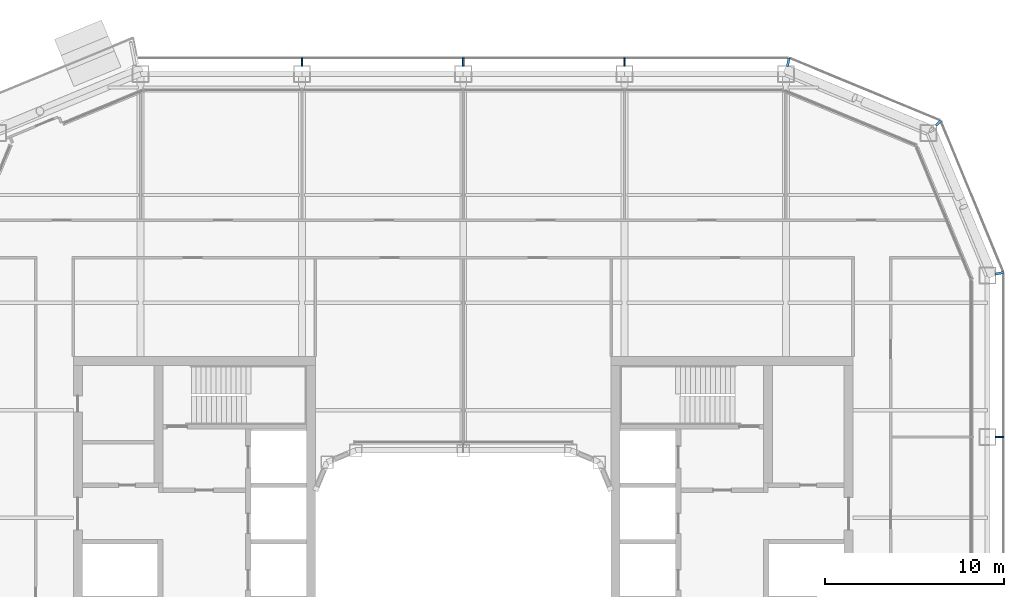
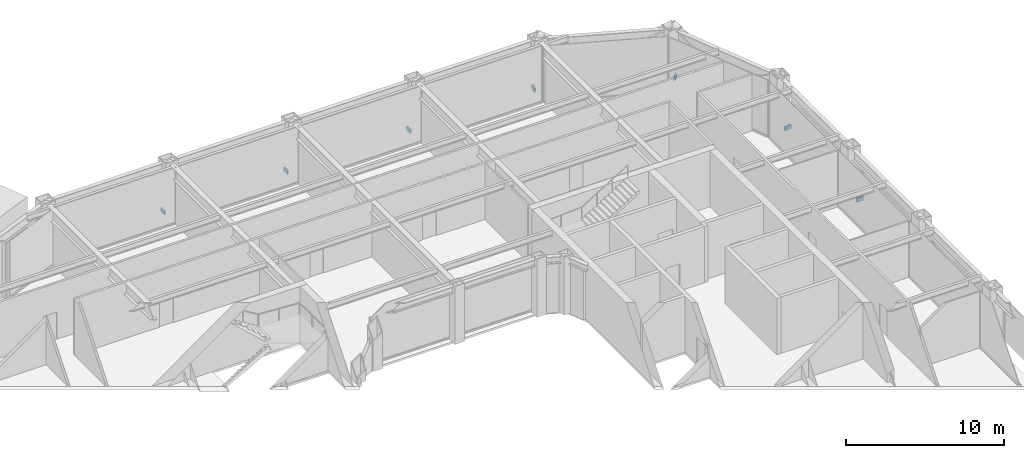
# One storey, part 17 of 23: 7 discrete accessories.
"""IFC4 building model written with IfcOpenShell, lengths in metres."""

from ifc_helpers import new_model, si_unit, direction, frame, origin, origin_2d, place, context, subcontext, project, spatial, rectangle, extrude, material, type_object, element, save


model = new_model("IFC4")

# Units and contexts
model_context = context("Model", 3, precision=1e-05, world=origin(), true_north=direction((0.0, 1.0)))
body_context = subcontext(model_context, "Body", "Model", "MODEL_VIEW")
ifc_project = project(units=[si_unit("LENGTHUNIT", "METRE"), si_unit("AREAUNIT", "SQUARE_METRE"), si_unit("VOLUMEUNIT", "CUBIC_METRE"), si_unit("PLANEANGLEUNIT", "RADIAN"), si_unit("MASSUNIT", "GRAM", prefix="KILO")], contexts=[model_context])

# Site, building, storey
site_placement = place(None, origin())
site = spatial("IfcSite", under=ifc_project, at=site_placement, CompositionType="ELEMENT")
building_placement = place(site_placement, origin())
building = spatial("IfcBuilding", under=site, at=building_placement, Name="Siwar Civic Tower", CompositionType="ELEMENT")
storey_placement = place(building_placement, frame((0.0, 0.0, 136.199951171875)))
storey = spatial("IfcBuildingStorey", under=building, at=storey_placement, Name="L29", CompositionType="ELEMENT", Elevation=136.199951171875)

# Discrete accessories
ifc_material = material(Name="Stainless steel 316", Category="steel")
discrete_accessory_type = type_object("IfcDiscreteAccessoryType", Name="ENV-BRACKET", PredefinedType="BRACKET", material=ifc_material)
for number, where, z_axis, x_axis, name in (
    (1, (29.9150390625, 9.0, -0.14990234375), (0.0, 0.0, 1.0), (1.0, 0.0, 0.0), "Bracket outer skin joint E-03"),
    (2, (9.0, 29.9150390625, -0.14990234375), (0.0, 0.0, 1.0), (0.0, 1.0, 0.0), "Bracket outer skin joint N-01"),
    (3, (0.0, 29.9150390625, -0.14990234375), (0.0, 0.0, 1.0), (0.0, 1.0, 0.0), "Bracket outer skin joint N-02"),
    (4, (-9.0, 29.9150390625, -0.14990234375), (0.0, 0.0, 1.0), (0.0, 1.0, 0.0), "Bracket outer skin joint N-03"),
):
    element("IfcDiscreteAccessory", number, at=place(storey_placement, frame(where, z_axis=z_axis, x_axis=x_axis)), inside=storey, type_object=discrete_accessory_type, Name=name, PredefinedType="BRACKET", context=body_context, shape_type="SweptSolid", body=[
        extrude(rectangle(XDim=0.469970703125, YDim=0.10009765625, at=origin_2d()), origin(), (0.0, 0.0, 1.0), 0.300048828125),
    ])
discrete_accessory_1_placement = place(storey_placement, frame((29.915283203125, 18.13232421875, -0.14990234375), z_axis=(0.0, 0.0, 1.0), x_axis=(0.980785280403, 0.195090322016, 0.0)))
element("IfcDiscreteAccessory", 5, at=discrete_accessory_1_placement, inside=storey, type_object=discrete_accessory_type, Name="Bracket outer skin joint V04", PredefinedType="BRACKET", context=body_context, shape_type="SweptSolid", body=[
    extrude(rectangle(XDim=0.478759765625, YDim=0.13720703125, at=origin_2d()), origin(), (0.0, 0.0, 1.0), 0.300048828125),
])
discrete_accessory_2_placement = place(storey_placement, frame((26.517333984375, 26.517333984375, -0.14990234375), z_axis=(0.0, 0.0, 1.0), x_axis=(0.707106781187, 0.707106781187, 0.0)))
element("IfcDiscreteAccessory", 6, at=discrete_accessory_2_placement, inside=storey, type_object=discrete_accessory_type, Name="Bracket outer skin joint V05", PredefinedType="BRACKET", context=body_context, shape_type="SweptSolid", body=[
    extrude(rectangle(XDim=0.357666015625, YDim=0.12939453125, at=origin_2d()), origin(), (0.0, 0.0, 1.0), 0.300048828125),
])
discrete_accessory_3_placement = place(storey_placement, frame((18.13232421875, 29.915283203125, -0.14990234375), z_axis=(0.0, 0.0, 1.0), x_axis=(0.195090322016, 0.980785280403, 0.0)))
element("IfcDiscreteAccessory", 7, at=discrete_accessory_3_placement, inside=storey, type_object=discrete_accessory_type, Name="Bracket outer skin joint V06", PredefinedType="BRACKET", context=body_context, shape_type="SweptSolid", body=[
    extrude(rectangle(XDim=0.478759765625, YDim=0.13720703125, at=origin_2d()), origin(), (0.0, 0.0, 1.0), 0.300048828125),
])

save(model, "model.ifc")
